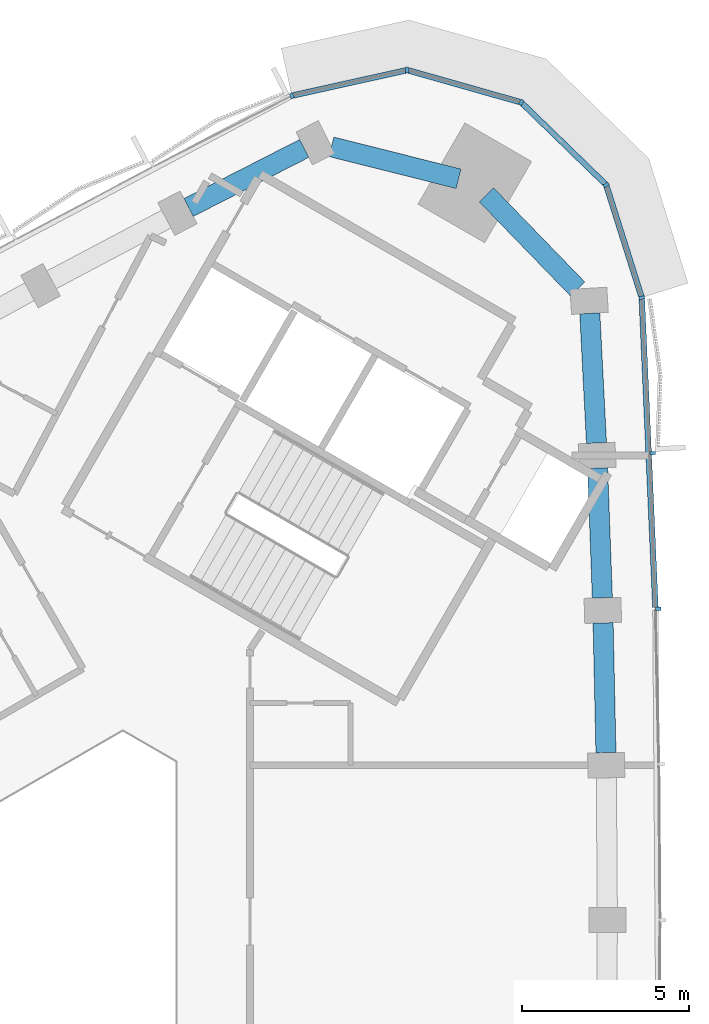
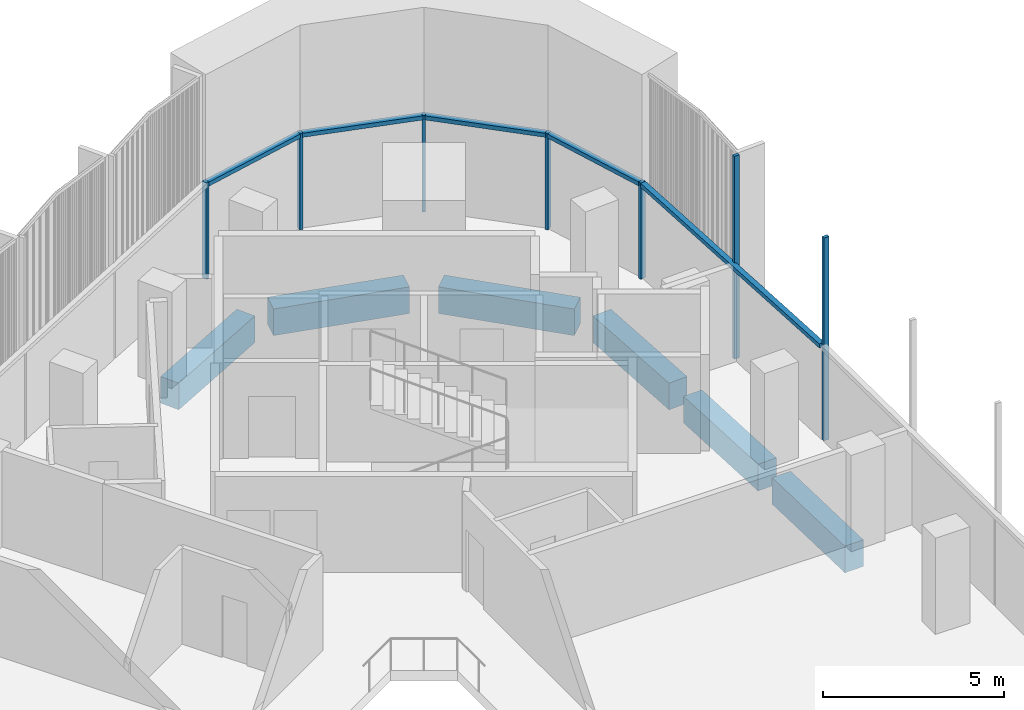
# One storey, part 6 of 14: 12 members, 6 beams, 2 elements without a shape of their own.
"""IFC4 building model written with IfcOpenShell, lengths in metres."""

import ifcopenshell
import ifcopenshell.guid

model = None  # the IFC model being written
_history = None  # IfcOwnerHistory: only IFC2X3 demands one
_inside = {}  # id of a spatial element -> (the spatial element, [elements in it])
_under = {}  # id of a project, library or spatial element -> (it, [spatial elements below it])
_declared = {}  # id of a project -> (the project, [libraries it declares])
_typed = {}  # id of a type object -> (the type object, [elements of that type])
_made_of = {}  # id of a material, layer set ... -> (it, [elements and type objects made of it])


def new_model(schema):
    """Start an empty IFC model of exactly this schema.

    Asked for "IFC4X3", IfcOpenShell would pick the latest addendum, in which some entities
    have other attributes; the version numbers below select the first issue.
    IFC2X3 requires an IfcOwnerHistory on every rooted entity: one is made here for all.
    """
    global model, _history
    if schema == "IFC4X3":
        model = ifcopenshell.file(schema_version=(4, 3, 0, 0))
    else:
        model = ifcopenshell.file(schema=schema)
    _inside.clear()
    _under.clear()
    _declared.clear()
    _typed.clear()
    _made_of.clear()
    _history = None
    if model.schema == "IFC2X3":
        org = make("IfcOrganization", Name="unknown")
        user = make(
            "IfcPersonAndOrganization",
            ThePerson=make("IfcPerson", FamilyName="unknown"),
            TheOrganization=org,
        )
        app = make(
            "IfcApplication",
            ApplicationDeveloper=org,
            Version="unknown",
            ApplicationFullName="unknown",
            ApplicationIdentifier="unknown",
        )
        _history = make(
            "IfcOwnerHistory",
            OwningUser=user,
            OwningApplication=app,
            ChangeAction="ADDED",
            CreationDate=0,
        )
    return model


def make(cls, **values):
    """One entity of the class cls with the attributes given. An attribute that is None is left unset."""
    return model.create_entity(
        cls, **{name: value for name, value in values.items() if value is not None}
    )


def rooted(cls, **values):
    """An entity with a GlobalId (a new one), such as an element, a storey or a relation."""
    return make(cls, GlobalId=ifcopenshell.guid.new(), OwnerHistory=_history, **values)


def si_unit(unit_type, name, prefix=None):
    """IfcSIUnit, for example si_unit("LENGTHUNIT", "METRE", prefix="MILLI")."""
    return make("IfcSIUnit", UnitType=unit_type, Prefix=prefix, Name=name)


def assignment(units):
    """IfcUnitAssignment: the units of a project."""
    return None if units is None else make("IfcUnitAssignment", Units=units)


def point(xyz):
    """IfcCartesianPoint."""
    return None if xyz is None else make("IfcCartesianPoint", Coordinates=xyz)


def direction(xyz):
    """IfcDirection."""
    return None if xyz is None else make("IfcDirection", DirectionRatios=xyz)


def frame(location, z_axis=None, x_axis=None):
    """IfcAxis2Placement3D, a coordinate frame: its origin and axes. An axis left out is left unset."""
    return make(
        "IfcAxis2Placement3D",
        Location=point(location),
        Axis=direction(z_axis),
        RefDirection=direction(x_axis),
    )


def frame_2d(location, x_axis=None):
    """IfcAxis2Placement2D, a coordinate frame in the plane: its origin and x axis."""
    return make(
        "IfcAxis2Placement2D", Location=point(location), RefDirection=direction(x_axis)
    )


def origin():
    """The frame at (0, 0, 0) with its axes left unset."""
    return frame((0.0, 0.0, 0.0))


def origin_2d():
    """The frame at (0, 0) in the plane with its x axis left unset."""
    return frame_2d((0.0, 0.0))


def place(relative_to, where):
    """IfcLocalPlacement: puts the frame where relative to a parent placement (None: the world)."""
    return make(
        "IfcLocalPlacement", PlacementRelTo=relative_to, RelativePlacement=where
    )


def context(
    kind, dimensions, precision=None, world=None, true_north=None, identifier=None
):
    """IfcGeometricRepresentationContext, for example the 3D "Model" context."""
    return make(
        "IfcGeometricRepresentationContext",
        ContextIdentifier=identifier,
        ContextType=kind,
        CoordinateSpaceDimension=dimensions,
        Precision=precision,
        WorldCoordinateSystem=world,
        TrueNorth=true_north,
    )


def subcontext(parent, identifier, kind, view, scale=None):
    """IfcGeometricRepresentationSubContext, for example "Body" below "Model"."""
    return make(
        "IfcGeometricRepresentationSubContext",
        ContextIdentifier=identifier,
        ContextType=kind,
        ParentContext=parent,
        TargetScale=scale,
        TargetView=view,
    )


def project(units=None, contexts=None):
    """IfcProject with its units and contexts."""
    return rooted(
        "IfcProject",
        Name="project",
        RepresentationContexts=contexts,
        UnitsInContext=assignment(units),
    )


def spatial(cls, under=None, at=None, **own):
    """A site, building, storey or space (cls), placed at a placement, below another one or the project."""
    s = rooted(cls, ObjectPlacement=at, **own)
    if under is not None:
        _under.setdefault(under.id(), (under, []))[1].append(s)
    return s


def profile(cls, at=None, kind="AREA", **sizes):
    """A parametric profile (cls). Its sizes go by their IFC names, for example OverallWidth=200.0."""
    return make(cls, ProfileType=kind, Position=at, **sizes)


def rectangle(**sizes):
    """IfcRectangleProfileDef."""
    return profile("IfcRectangleProfileDef", **sizes)


def extrude(swept, where, along, depth):
    """IfcExtrudedAreaSolid: the profile swept, set in the frame where, extruded along a direction by depth."""
    return make(
        "IfcExtrudedAreaSolid",
        SweptArea=swept,
        Position=where,
        ExtrudedDirection=direction(along),
        Depth=depth,
    )


def shape(context_of_items, identifier, shape_type, items):
    """IfcShapeRepresentation: the items that make up one representation, for example the "Body"."""
    return make(
        "IfcShapeRepresentation",
        ContextOfItems=context_of_items,
        RepresentationIdentifier=identifier,
        RepresentationType=shape_type,
        Items=items,
    )


def material(Name=None, Category=None):
    """IfcMaterial."""
    return make("IfcMaterial", Name=Name, Category=Category)


def material_profile(
    of_material, cross_section, Name=None, Category=None, Priority=None
):
    """IfcMaterialProfile: a cross section and its material."""
    return make(
        "IfcMaterialProfile",
        Name=Name,
        Material=of_material,
        Profile=cross_section,
        Priority=Priority,
        Category=Category,
    )


def profile_set(profiles, Name=None, composite=None):
    """IfcMaterialProfileSet."""
    return make(
        "IfcMaterialProfileSet",
        Name=Name,
        MaterialProfiles=profiles,
        CompositeProfile=composite,
    )


def made_of(thing, what):
    """Note that an element or type object is made of a material, layer set ...; save() writes the relation."""
    if what is not None:
        _made_of.setdefault(what.id(), (what, []))[1].append(thing)
    return thing


def type_object(cls, material=None, **own):
    """A type object (cls), such as IfcWallType, which elements share."""
    return made_of(rooted(cls, **own), material)


def element(
    cls,
    number,
    at=None,
    inside=None,
    cuts=None,
    type_object=None,
    material=None,
    context=None,
    identifier="Body",
    shape_type=None,
    held_by="IfcProductDefinitionShape",
    body=None,
    shapes=None,
    **own,
):
    """One element of the class cls, such as IfcWall. Its Tag is "e" and its number.

    at: its placement. inside: the storey or other place that contains it. cuts: it is an
    opening in that element (IfcRelVoidsElement). A single representation is given by context,
    identifier, shape_type and body (its items); several are given by shapes. held_by: the class
    of the entity that holds the representations. save() writes the other relations.
    """
    e = rooted(cls, Tag="e%d" % number, ObjectPlacement=at, **own)
    if body is not None:
        shapes = [shape(context, identifier, shape_type, body)]
    if shapes is not None:
        e.Representation = make(held_by, Representations=shapes)
    if inside is not None:
        _inside.setdefault(inside.id(), (inside, []))[1].append(e)
    if cuts is not None:
        rooted(
            "IfcRelVoidsElement", RelatingBuildingElement=cuts, RelatedOpeningElement=e
        )
    if type_object is not None:
        _typed.setdefault(type_object.id(), (type_object, []))[1].append(e)
    return made_of(e, material)


def aggregate(whole, parts):
    """IfcRelAggregates: a whole, such as a stair, and the parts it consists of."""
    return rooted("IfcRelAggregates", RelatingObject=whole, RelatedObjects=parts)


def save(model, path):
    """Write the relations noted so far, then the file.

    IfcRelAggregates (storeys below a building ...), IfcRelContainedInSpatialStructure (elements
    in a storey), IfcRelDefinesByType, IfcRelAssociatesMaterial and IfcRelDeclares: one each for
    every whole, place, type object, material and project.
    """
    for whole, parts in _under.values():
        aggregate(whole, parts)
    for where, things in _inside.values():
        rooted(
            "IfcRelContainedInSpatialStructure",
            RelatedElements=things,
            RelatingStructure=where,
        )
    for kind, things in _typed.values():
        rooted("IfcRelDefinesByType", RelatedObjects=things, RelatingType=kind)
    for what, things in _made_of.values():
        rooted("IfcRelAssociatesMaterial", RelatedObjects=things, RelatingMaterial=what)
    for by, libraries in _declared.values():
        rooted("IfcRelDeclares", RelatingContext=by, RelatedDefinitions=libraries)
    model.write(path)


model = new_model("IFC4")

# Units and contexts
model_context = context("Model", 3, precision=1e-05, world=origin(), true_north=direction((0.0, 1.0)))
body_context = subcontext(model_context, "Body", "Model", "MODEL_VIEW")
ifc_project = project(units=[si_unit("LENGTHUNIT", "METRE"), si_unit("AREAUNIT", "SQUARE_METRE"), si_unit("VOLUMEUNIT", "CUBIC_METRE"), si_unit("PLANEANGLEUNIT", "RADIAN"), si_unit("MASSUNIT", "GRAM", prefix="KILO")], contexts=[model_context])

# Site, building, storey
site_placement = place(None, origin())
site = spatial("IfcSite", under=ifc_project, at=site_placement, CompositionType="ELEMENT")
building_placement = place(site_placement, origin())
building = spatial("IfcBuilding", under=site, at=building_placement, Name="Tamra Quay Hotel Tower", CompositionType="ELEMENT")
storey_placement = place(building_placement, frame((0.0, 0.0, 221.39990234375)))
storey = spatial("IfcBuildingStorey", under=building, at=storey_placement, Name="L55", CompositionType="ELEMENT", Elevation=221.39990234375)

# Curtain wall, members
ifc_material_1 = material(Name="Aluminium 6063 anodised dark grey", Category="aluminium")
curtain_wall_type_1 = type_object("IfcCurtainWallType", Name="CW1 CURTAIN WALL", PredefinedType="NOTDEFINED", material=ifc_material_1)
curtain_wall_1_placement = place(storey_placement, origin())
curtain_wall_1 = element("IfcCurtainWall", 1, at=curtain_wall_1_placement, inside=storey, type_object=curtain_wall_type_1, Name="CW1 east face L55", PredefinedType="NOTDEFINED")
ifc_material_profile_1 = material_profile(ifc_material_1, rectangle(XDim=0.169921875, YDim=0.10009765625, at=origin_2d()), Name="MULLION 100X170")
ifc_profile_set_1 = profile_set([ifc_material_profile_1], Name="Aluminium 6063 anodised dark grey")
member_type_1 = type_object("IfcMemberType", Name="MULLION CW1 Z5", PredefinedType="MULLION", material=ifc_profile_set_1)
member_1_placement = place(storey_placement, frame((18.191650390625, 9.2978515625, 0.0), z_axis=(0.0, 0.0, 1.0), x_axis=(0.999567592353, 0.029404562872, 0.0)))
member_1 = element("IfcMember", 2, at=member_1_placement, type_object=member_type_1, Name="CW1 mullion L55.E.7", PredefinedType="MULLION", context=body_context, shape_type="SweptSolid", body=[
    extrude(rectangle(XDim=0.169921875, YDim=0.10009765625, at=origin_2d()), origin(), (0.0, 0.0, 1.0), 6.85009765625),
])
member_2_placement = place(storey_placement, frame((18.020751953125, 13.944580078125, 0.0), z_axis=(0.0, 0.0, 1.0), x_axis=(0.999028216264, 0.044075198344, 0.0)))
member_2 = element("IfcMember", 3, at=member_2_placement, type_object=member_type_1, Name="CW1 mullion L55.E.8", PredefinedType="MULLION", context=body_context, shape_type="SweptSolid", body=[
    extrude(rectangle(XDim=0.169921875, YDim=0.10009765625, at=origin_2d()), origin(), (0.0, 0.0, 1.0), 6.85009765625),
])
member_3_placement = place(storey_placement, frame((17.69677734375, 18.5830078125, 0.0), z_axis=(0.0, 0.0, 1.0), x_axis=(0.984105321789, 0.177585797933, 0.0)))
member_3 = element("IfcMember", 4, at=member_3_placement, type_object=member_type_1, Name="CW1 mullion L55.E.9", PredefinedType="MULLION", context=body_context, shape_type="SweptSolid", body=[
    extrude(rectangle(XDim=0.169921875, YDim=0.10009765625, at=origin_2d()), origin(), (0.0, 0.0, 1.0), 3.25),
])
member_4_placement = place(storey_placement, frame((16.633056640625, 21.9541015625, 0.0), z_axis=(0.0, 0.0, 1.0), x_axis=(0.851044298206, 0.525093898736, 0.0)))
member_4 = element("IfcMember", 5, at=member_4_placement, type_object=member_type_1, Name="CW1 mullion L55.E.10", PredefinedType="MULLION", context=body_context, shape_type="SweptSolid", body=[
    extrude(rectangle(XDim=0.169921875, YDim=0.10009765625, at=origin_2d()), origin(), (0.0, 0.0, 1.0), 3.25),
])
member_5_placement = place(storey_placement, frame((14.09716796875, 24.4169921875, 0.0), z_axis=(0.0, 0.0, 1.0), x_axis=(0.5, 0.866025403784, 0.0)))
member_5 = element("IfcMember", 6, at=member_5_placement, type_object=member_type_1, Name="CW1 mullion L55.E.11", PredefinedType="MULLION", context=body_context, shape_type="SweptSolid", body=[
    extrude(rectangle(XDim=0.169921875, YDim=0.10009765625, at=origin_2d()), origin(), (0.0, 0.0, 1.0), 3.25),
])
member_6_placement = place(storey_placement, frame((10.6962890625, 25.3818359375, 0.0), z_axis=(0.0, 0.0, 1.0), x_axis=(0.029222506575, 0.999572931361, 0.0)))
member_6 = element("IfcMember", 7, at=member_6_placement, type_object=member_type_1, Name="CW1 mullion L55.E.12", PredefinedType="MULLION", context=body_context, shape_type="SweptSolid", body=[
    extrude(rectangle(XDim=0.169921875, YDim=0.10009765625, at=origin_2d()), origin(), (0.0, 0.0, 1.0), 3.25),
])

# Curtain wall, member
curtain_wall_type_2 = type_object("IfcCurtainWallType", Name="CW2 CURTAIN WALL", PredefinedType="NOTDEFINED", material=ifc_material_1)
curtain_wall_2_placement = place(storey_placement, origin())
curtain_wall_2 = element("IfcCurtainWall", 8, at=curtain_wall_2_placement, inside=storey, type_object=curtain_wall_type_2, Name="CW2 north-west face L55", PredefinedType="NOTDEFINED")
ifc_material_profile_2 = material_profile(ifc_material_1, rectangle(XDim=0.169921875, YDim=0.10009765625, at=origin_2d()), Name="MULLION 100X170")
ifc_profile_set_2 = profile_set([ifc_material_profile_2], Name="Aluminium 6063 anodised dark grey")
member_type_2 = type_object("IfcMemberType", Name="MULLION CW2 Z5", PredefinedType="MULLION", material=ifc_profile_set_2)
member_7_placement = place(storey_placement, frame((7.244873046875, 24.617431640625, 0.0), z_axis=(0.0, 0.0, 1.0), x_axis=(-0.338258848533, 0.941053107635, 0.0)))
member_7 = element("IfcMember", 9, at=member_7_placement, type_object=member_type_2, Name="CW2 mullion L55.NW.1", PredefinedType="MULLION", context=body_context, shape_type="SweptSolid", body=[
    extrude(rectangle(XDim=0.169921875, YDim=0.10009765625, at=origin_2d()), origin(), (0.0, 0.0, 1.0), 3.25),
])
aggregate(curtain_wall_2, [member_7])

# Beams
ifc_material_2 = material(Name="Concrete M60", Category="concrete")
ifc_material_profile_3 = material_profile(ifc_material_2, rectangle(XDim=0.60009765625, YDim=0.89990234375, at=origin_2d()), Name="SPANDREL BEAM RC 600x900")
ifc_profile_set_3 = profile_set([ifc_material_profile_3], Name="Concrete M60")
beam_type = type_object("IfcBeamType", Name="SPANDREL BEAM RC 600x900", PredefinedType="SPANDREL", material=ifc_profile_set_3)
beam_1_placement = place(storey_placement, frame((16.626953125, 5.0, -0.7998046875), z_axis=(-0.022047440235, 0.999756925647, 0.0), x_axis=(-0.999756925647, -0.022047440235, 0.0)))
element("IfcBeam", 10, at=beam_1_placement, inside=storey, type_object=beam_type, Name="BM-SP5-005-L55", PredefinedType="SPANDREL", context=body_context, shape_type="SweptSolid", body=[
    extrude(rectangle(XDim=0.60009765625, YDim=0.89990234375, at=origin_2d()), origin(), (0.0, 0.0, 1.0), 3.875732421875),
])
beam_2_placement = place(storey_placement, frame((16.51953125, 9.62451171875, -0.7998046875), z_axis=(-0.036732019634, 0.999325151657, 0.0), x_axis=(-0.999325151657, -0.036732019634, 0.0)))
element("IfcBeam", 11, at=beam_2_placement, inside=storey, type_object=beam_type, Name="BM-SP5-006-L55", PredefinedType="SPANDREL", context=body_context, shape_type="SweptSolid", body=[
    extrude(rectangle(XDim=0.60009765625, YDim=0.89990234375, at=origin_2d()), origin(), (0.0, 0.0, 1.0), 3.875),
])
beam_3_placement = place(storey_placement, frame((16.343994140625, 14.24609375, -0.7998046875), z_axis=(-0.051404854824, 0.998677896471, 0.0), x_axis=(-0.998677896471, -0.051404854824, 0.0)))
element("IfcBeam", 12, at=beam_3_placement, inside=storey, type_object=beam_type, Name="BM-SP5-007-L55", PredefinedType="SPANDREL", context=body_context, shape_type="SweptSolid", body=[
    extrude(rectangle(XDim=0.60009765625, YDim=0.89990234375, at=origin_2d()), origin(), (0.0, 0.0, 1.0), 3.87548828125),
])
beam_4_placement = place(storey_placement, frame((15.781005859375, 18.846435546875, -0.7998046875), z_axis=(-0.69594408001, 0.718095980701, 0.0), x_axis=(-0.718095980701, -0.69594408001, 0.0)))
element("IfcBeam", 13, at=beam_4_placement, inside=storey, type_object=beam_type, Name="BM-SP5-008-L55", PredefinedType="SPANDREL", context=body_context, shape_type="SweptSolid", body=[
    extrude(rectangle(XDim=0.60009765625, YDim=0.89990234375, at=origin_2d()), origin(), (0.0, 0.0, 1.0), 3.91259765625),
])
beam_5_placement = place(storey_placement, frame((12.225830078125, 22.136474609375, -0.7998046875), z_axis=(-0.969848171666, 0.243709917558, 0.0), x_axis=(-0.243709917558, -0.969848171666, 0.0)))
element("IfcBeam", 14, at=beam_5_placement, inside=storey, type_object=beam_type, Name="BM-SP5-009-L55", PredefinedType="SPANDREL", context=body_context, shape_type="SweptSolid", body=[
    extrude(rectangle(XDim=0.60009765625, YDim=0.89990234375, at=origin_2d()), origin(), (0.0, 0.0, 1.0), 3.912841796875),
])
beam_6_placement = place(storey_placement, frame((7.616943359375, 23.0400390625, -0.7998046875), z_axis=(-0.890602550436, -0.454782472349, 0.0), x_axis=(0.454782472349, -0.890602550436, 0.0)))
element("IfcBeam", 15, at=beam_6_placement, inside=storey, type_object=beam_type, Name="BM-SP5-010-L55", PredefinedType="SPANDREL", context=body_context, shape_type="SweptSolid", body=[
    extrude(rectangle(XDim=0.60009765625, YDim=0.89990234375, at=origin_2d()), origin(), (0.0, 0.0, 1.0), 3.87548828125),
])

# Member
ifc_material_profile_4 = material_profile(ifc_material_1, rectangle(XDim=0.169921875, YDim=0.139892578125, at=origin_2d()), Name="TRANSOM 170X140")
ifc_profile_set_4 = profile_set([ifc_material_profile_4], Name="Aluminium 6063 anodised dark grey")
member_type_3 = type_object("IfcMemberType", Name="TRANSOM CW1 Z5", PredefinedType="USERDEFINED", material=ifc_profile_set_4)
member_8_placement = place(storey_placement, frame((18.104736328125, 9.34521484375, 3.18017578125), z_axis=(-0.044067372044, 0.999028561514, 0.0), x_axis=(-0.999028561514, -0.044067372044, 0.0)))
member_8 = element("IfcMember", 16, at=member_8_placement, type_object=member_type_3, Name="CW1 transom L55.E.7", ObjectType="TRANSOM", PredefinedType="USERDEFINED", context=body_context, shape_type="SweptSolid", body=[
    extrude(rectangle(XDim=0.169921875, YDim=0.139892578125, at=origin_2d()), origin(), (0.0, 0.0, 1.0), 9.19677734375),
])

member_9_placement = place(storey_placement, frame((17.681884765625, 18.630615234375, 3.18017578125), z_axis=(-0.30092047073, 0.953649238607, 0.0), x_axis=(-0.953649238607, -0.30092047073, 0.0)))
member_9 = element("IfcMember", 17, at=member_9_placement, type_object=member_type_3, Name="CW1 transom L55.E.9", ObjectType="TRANSOM", PredefinedType="USERDEFINED", context=body_context, shape_type="SweptSolid", body=[
    extrude(rectangle(XDim=0.169921875, YDim=0.139892578125, at=origin_2d()), origin(), (0.0, 0.0, 1.0), 3.43505859375),
])

member_10_placement = place(storey_placement, frame((16.59716796875, 21.989013671875, 3.18017578125), z_axis=(-0.717337227603, 0.696726131199, 0.0), x_axis=(-0.696726131199, -0.717337227603, 0.0)))
member_10 = element("IfcMember", 18, at=member_10_placement, type_object=member_type_3, Name="CW1 transom L55.E.10", ObjectType="TRANSOM", PredefinedType="USERDEFINED", context=body_context, shape_type="SweptSolid", body=[
    extrude(rectangle(XDim=0.169921875, YDim=0.139892578125, at=origin_2d()), origin(), (0.0, 0.0, 1.0), 3.43505859375),
])

member_11_placement = place(storey_placement, frame((14.049072265625, 24.4306640625, 3.18017578125), z_axis=(-0.962037198813, 0.272918354273, 0.0), x_axis=(-0.272918354273, -0.962037198813, 0.0)))
member_11 = element("IfcMember", 19, at=member_11_placement, type_object=member_type_3, Name="CW1 transom L55.E.11", ObjectType="TRANSOM", PredefinedType="USERDEFINED", context=body_context, shape_type="SweptSolid", body=[
    extrude(rectangle(XDim=0.169921875, YDim=0.139892578125, at=origin_2d()), origin(), (0.0, 0.0, 1.0), 3.43505859375),
])

member_12_placement = place(storey_placement, frame((10.6474609375, 25.37109375, 3.18017578125), z_axis=(-0.976332331622, -0.21627569958, 0.0), x_axis=(0.21627569958, -0.976332331622, 0.0)))
member_12 = element("IfcMember", 20, at=member_12_placement, type_object=member_type_3, Name="CW1 transom L55.E.12", ObjectType="TRANSOM", PredefinedType="USERDEFINED", context=body_context, shape_type="SweptSolid", body=[
    extrude(rectangle(XDim=0.169921875, YDim=0.139892578125, at=origin_2d()), origin(), (0.0, 0.0, 1.0), 3.43505859375),
])

aggregate(curtain_wall_1, [member_1, member_8, member_2, member_3, member_9, member_4, member_10, member_5, member_11, member_6, member_12])

save(model, "model.ifc")
